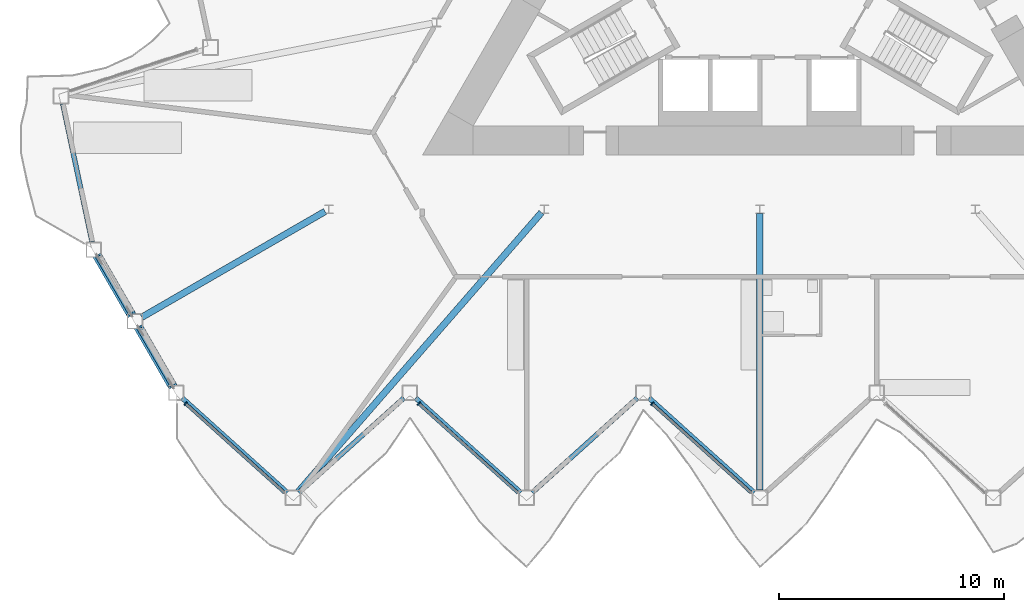
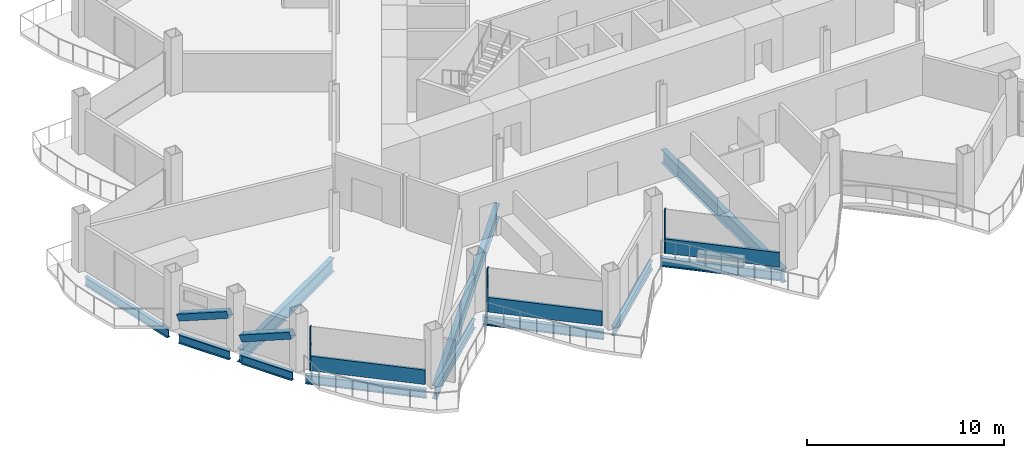
# One storey, part 4 of 24: 11 beams, 8 members, 3 elements without a shape of their own.
"""IFC4 building model written with IfcOpenShell, lengths in metres."""

from ifc_helpers import new_model, si_unit, direction, frame, origin, origin_2d, place, context, subcontext, project, spatial, rectangle, hollow_rectangle, i_section, extrude, material, layer, layer_set, material_profile, profile_set, type_object, element, aggregate, save


model = new_model("IFC4")

# Units and contexts
model_context = context("Model", 3, precision=1e-05, world=origin(), true_north=direction((0.0, 1.0)))
body_context = subcontext(model_context, "Body", "Model", "MODEL_VIEW")
ifc_project = project(units=[si_unit("LENGTHUNIT", "METRE"), si_unit("AREAUNIT", "SQUARE_METRE"), si_unit("VOLUMEUNIT", "CUBIC_METRE"), si_unit("PLANEANGLEUNIT", "RADIAN"), si_unit("MASSUNIT", "GRAM", prefix="KILO")], contexts=[model_context])

# Site, building, storey
site_placement = place(None, origin())
site = spatial("IfcSite", under=ifc_project, at=site_placement, CompositionType="ELEMENT")
building_placement = place(site_placement, origin())
building = spatial("IfcBuilding", under=site, at=building_placement, Name="Cormorant Prow Tower", CompositionType="ELEMENT")
storey_placement = place(building_placement, frame((0.0, 0.0, 274.199951171875)))
storey = spatial("IfcBuildingStorey", under=building, at=storey_placement, Name="L62", CompositionType="ELEMENT", Elevation=274.199951171875)

# Members
ifc_material_1 = material(Name="Structural steel ASTM A500 Gr C", Category="steel")
ifc_material_profile_1 = material_profile(ifc_material_1, hollow_rectangle(XDim=0.406494140625, YDim=0.406494140625, WallThickness=0.01171875, at=origin_2d()), Name="HSS16x16x1/2")
ifc_profile_set_1 = profile_set([ifc_material_profile_1], Name="Structural steel ASTM A500 Gr C")
member_type_1 = type_object("IfcMemberType", Name="Chamfer brace HSS16x16x1/2", PredefinedType="BRACE", material=ifc_profile_set_1)
for number, where, z_axis, x_axis, name in (
    (1, (-29.4287109375, -13.174560546875, 0.74951171875), (0.462773096913, -0.801606962687, 0.378506721399), (0.866041729639, 0.499971721724, 0.0), "Chamfer brace BR2 at WSW00 L62"),
    (2, (-27.593505859375, -16.353271484375, 0.74951171875), (0.462773096913, -0.801606962687, 0.378506721399), (0.866041729639, 0.499971721724, 0.0), "Chamfer brace BR2 at WSW01 L62"),
):
    element("IfcMember", number, at=place(storey_placement, frame(where, z_axis=z_axis, x_axis=x_axis)), inside=storey, type_object=member_type_1, Name=name, PredefinedType="BRACE", context=body_context, shape_type="SweptSolid", body=[
        extrude(hollow_rectangle(XDim=0.406494140625, YDim=0.406494140625, WallThickness=0.01171875, at=origin_2d()), origin(), (0.0, 0.0, 1.0), 3.17529296875),
    ])

# Curtain wall, member
ifc_material_2 = material(Name="Aluminium 6063-T6", Category="aluminium")
ifc_layer = layer(ifc_material_2, 0.179931640625)
ifc_layer_set = layer_set([ifc_layer], Name="Aluminium 6063-T6")
curtain_wall_type = type_object("IfcCurtainWallType", Name="Hotel unitised curtain wall 180", PredefinedType="NOTDEFINED", material=ifc_layer_set)
curtain_wall_1_placement = place(storey_placement, origin())
curtain_wall_1 = element("IfcCurtainWall", 3, at=curtain_wall_1_placement, inside=storey, type_object=curtain_wall_type, Name="Hotel curtain wall S00", PredefinedType="NOTDEFINED")
ifc_material_3 = material(Name="Aluminium 6063-T6", Category="aluminium")
ifc_material_profile_2 = material_profile(ifc_material_3, rectangle(XDim=0.179931640625, YDim=0.06005859375, at=origin_2d()), Name="Hotel mullion 60x180")
ifc_profile_set_2 = profile_set([ifc_material_profile_2], Name="Aluminium 6063-T6")
member_type_2 = type_object("IfcMemberType", Name="Hotel mullion 60x180", PredefinedType="MULLION", material=ifc_profile_set_2)
member_1_placement = place(storey_placement, frame((-25.531494140625, -19.701904296875, 0.0), z_axis=(0.0, 0.0, 1.0), x_axis=(0.669130609926, 0.743144822266, 0.0)))
member_1 = element("IfcMember", 4, at=member_1_placement, type_object=member_type_2, Name="Hotel mullion S00", PredefinedType="MULLION", context=body_context, shape_type="SweptSolid", body=[
    extrude(rectangle(XDim=0.179931640625, YDim=0.06005859375, at=origin_2d()), origin(), (0.0, 0.0, 1.0), 2.700927734375),
])

curtain_wall_2_placement = place(storey_placement, origin())
curtain_wall_2 = element("IfcCurtainWall", 5, at=curtain_wall_2_placement, inside=storey, type_object=curtain_wall_type, Name="Hotel curtain wall S02", PredefinedType="NOTDEFINED")
member_2_placement = place(storey_placement, frame((-15.1611328125, -19.701904296875, 0.0), z_axis=(0.0, 0.0, 1.0), x_axis=(0.669130538654, 0.743144886439, 0.0)))
member_2 = element("IfcMember", 6, at=member_2_placement, type_object=member_type_2, Name="Hotel mullion S02", PredefinedType="MULLION", context=body_context, shape_type="SweptSolid", body=[
    extrude(rectangle(XDim=0.179931640625, YDim=0.06005859375, at=origin_2d()), origin(), (0.0, 0.0, 1.0), 2.700927734375),
])

curtain_wall_3_placement = place(storey_placement, origin())
curtain_wall_3 = element("IfcCurtainWall", 7, at=curtain_wall_3_placement, inside=storey, type_object=curtain_wall_type, Name="Hotel curtain wall S04", PredefinedType="NOTDEFINED")
member_3_placement = place(storey_placement, frame((-4.79052734375, -19.701904296875, 0.0), z_axis=(0.0, 0.0, 1.0), x_axis=(0.669130609926, 0.743144822266, 0.0)))
member_3 = element("IfcMember", 8, at=member_3_placement, type_object=member_type_2, Name="Hotel mullion S04", PredefinedType="MULLION", context=body_context, shape_type="SweptSolid", body=[
    extrude(rectangle(XDim=0.179931640625, YDim=0.06005859375, at=origin_2d()), origin(), (0.0, 0.0, 1.0), 2.700927734375),
])

# Member
ifc_material_4 = material(Name="Terracotta", Category="masonry")
ifc_material_profile_3 = material_profile(ifc_material_4, rectangle(XDim=0.139892578125, YDim=0.89990234375, at=origin_2d()), Name="Hotel terracotta spandrel rail 140x900")
ifc_profile_set_3 = profile_set([ifc_material_profile_3], Name="Terracotta")
member_type_3 = type_object("IfcMemberType", Name="Hotel terracotta spandrel rail 140x900", PredefinedType="USERDEFINED", material=ifc_profile_set_3)
member_4_placement = place(storey_placement, frame((-25.509033203125, -19.721923828125, 0.449951171875), z_axis=(0.743119680004, -0.669158532181, 0.0), x_axis=(0.669158532181, 0.743119680004, 0.0)))
member_4 = element("IfcMember", 9, at=member_4_placement, type_object=member_type_3, Name="Hotel spandrel rail S00", ObjectType="TRANSOM", PredefinedType="USERDEFINED", context=body_context, shape_type="SweptSolid", body=[
    extrude(rectangle(XDim=0.139892578125, YDim=0.89990234375, at=origin_2d()), origin(), (0.0, 0.0, 1.0), 5.915283203125),
])

aggregate(curtain_wall_1, [member_1, member_4])

member_5_placement = place(storey_placement, frame((-15.138671875, -19.721923828125, 0.449951171875), z_axis=(0.743138160078, -0.669138008961, 0.0), x_axis=(0.669138008961, 0.743138160078, 0.0)))
member_5 = element("IfcMember", 10, at=member_5_placement, type_object=member_type_3, Name="Hotel spandrel rail S02", ObjectType="TRANSOM", PredefinedType="USERDEFINED", context=body_context, shape_type="SweptSolid", body=[
    extrude(rectangle(XDim=0.139892578125, YDim=0.89990234375, at=origin_2d()), origin(), (0.0, 0.0, 1.0), 5.91552734375),
])

aggregate(curtain_wall_2, [member_2, member_5])

member_6_placement = place(storey_placement, frame((-4.768310546875, -19.721923828125, 0.449951171875), z_axis=(0.743138160078, -0.669138008961, 0.0), x_axis=(0.669138008961, 0.743138160078, 0.0)))
member_6 = element("IfcMember", 11, at=member_6_placement, type_object=member_type_3, Name="Hotel spandrel rail S04", ObjectType="TRANSOM", PredefinedType="USERDEFINED", context=body_context, shape_type="SweptSolid", body=[
    extrude(rectangle(XDim=0.139892578125, YDim=0.89990234375, at=origin_2d()), origin(), (0.0, 0.0, 1.0), 5.91552734375),
])

aggregate(curtain_wall_3, [member_3, member_6])

# Beams
ifc_material_5 = material(Name="Structural steel ASTM A992 Gr 50", Category="steel")
ifc_material_profile_4 = material_profile(ifc_material_5, i_section(OverallWidth=0.29296875, OverallDepth=0.845703125, WebThickness=0.015380859375, FlangeThickness=0.0244140625, at=origin_2d()), Name="W33x141")
ifc_profile_set_4 = profile_set([ifc_material_profile_4], Name="Structural steel ASTM A992 Gr 50")
beam_type_1 = type_object("IfcBeamType", Name="Radial floor beam W33x141", PredefinedType="BEAM", material=ifc_profile_set_4)
beam_1_placement = place(storey_placement, frame((-19.32958984375, -11.159912109375, -0.77294921875), z_axis=(-0.866021726843, -0.500006368596, 0.0), x_axis=(0.500006368596, -0.866021726843, 0.0)))
element("IfcBeam", 12, at=beam_1_placement, inside=storey, type_object=beam_type_1, Name="Radial floor beam FB2 5 L62", PredefinedType="BEAM", context=body_context, shape_type="SweptSolid", body=[
    extrude(i_section(OverallWidth=0.29296875, OverallDepth=0.845703125, WebThickness=0.015380859375, FlangeThickness=0.0244140625, at=origin_2d()), origin(), (0.0, 0.0, 1.0), 9.40380859375),
])
beam_2_placement = place(storey_placement, frame((-9.70947265625, -11.210693359375, -0.77294921875), z_axis=(-0.656874593387, -0.753999846527, 0.0), x_axis=(0.753999846527, -0.656874593387, 0.0)))
element("IfcBeam", 13, at=beam_2_placement, inside=storey, type_object=beam_type_1, Name="Radial floor beam FB2 6 L62", PredefinedType="BEAM", context=body_context, shape_type="SweptSolid", body=[
    extrude(i_section(OverallWidth=0.29296875, OverallDepth=0.845703125, WebThickness=0.015380859375, FlangeThickness=0.0244140625, at=origin_2d()), origin(), (0.0, 0.0, 1.0), 16.4619140625),
])
beam_3_placement = place(storey_placement, frame((0.0, -11.259765625, -0.77294921875), z_axis=(0.0, -1.0, 0.0), x_axis=(1.0, 0.0, 0.0)))
element("IfcBeam", 14, at=beam_3_placement, inside=storey, type_object=beam_type_1, Name="Radial floor beam FB2 7 L62", PredefinedType="BEAM", context=body_context, shape_type="SweptSolid", body=[
    extrude(i_section(OverallWidth=0.29296875, OverallDepth=0.845703125, WebThickness=0.015380859375, FlangeThickness=0.0244140625, at=origin_2d()), origin(), (0.0, 0.0, 1.0), 12.277099609375),
])
ifc_material_6 = material(Name="Structural steel ASTM A992 Gr 50", Category="steel")
ifc_material_profile_5 = material_profile(ifc_material_6, i_section(OverallWidth=0.2138671875, OverallDepth=0.549072265625, WebThickness=0.0146484375, FlangeThickness=0.023681640625, at=origin_2d()), Name="W21x93")
ifc_profile_set_5 = profile_set([ifc_material_profile_5], Name="Structural steel ASTM A992 Gr 50")
beam_type_2 = type_object("IfcBeamType", Name="Spandrel beam W21x93", PredefinedType="SPANDREL", material=ifc_profile_set_5)
for number, where, z_axis, x_axis, name in (
    (15, (-25.68115234375, -19.44970703125, -0.62451171875), (0.743156918576, -0.669117175368, 0.0), (0.669117175368, 0.743156918576, 0.0), "Spandrel beam SB2 S00-S01 L62"),
    (16, (-20.492919921875, -23.65283203125, -0.62451171875), (0.743156918576, 0.669117175368, 0.0), (-0.669117175368, 0.743156918576, 0.0), "Spandrel beam SB2 S01-S02 L62"),
    (17, (-15.3046875, -19.44970703125, -0.62451171875), (0.743156918576, -0.669117175368, 0.0), (0.669117175368, 0.743156918576, 0.0), "Spandrel beam SB2 S02-S03 L62"),
    (18, (-10.116455078125, -23.65283203125, -0.62451171875), (0.743156918576, 0.669117175368, 0.0), (-0.669117175368, 0.743156918576, 0.0), "Spandrel beam SB2 S03-S04 L62"),
    (19, (-4.92822265625, -19.44970703125, -0.62451171875), (0.743156918576, -0.669117175368, 0.0), (0.669117175368, 0.743156918576, 0.0), "Spandrel beam SB2 S04-S05 L62"),
):
    element("IfcBeam", number, at=place(storey_placement, frame(where, z_axis=z_axis, x_axis=x_axis)), inside=storey, type_object=beam_type_2, Name=name, PredefinedType="SPANDREL", context=body_context, shape_type="SweptSolid", body=[
        extrude(i_section(OverallWidth=0.2138671875, OverallDepth=0.549072265625, WebThickness=0.0146484375, FlangeThickness=0.023681640625, at=origin_2d()), origin(), (0.0, 0.0, 1.0), 6.281494140625),
    ])
beam_4_placement = place(storey_placement, frame((-30.990478515625, -6.37158203125, -0.62451171875), z_axis=(0.207941499013, -0.978141264331, 0.0), x_axis=(0.978141264331, 0.207941499013, 0.0)))
element("IfcBeam", 20, at=beam_4_placement, inside=storey, type_object=beam_type_2, Name="Spandrel beam SB2 WNW09-WSW00 L62", PredefinedType="SPANDREL", context=body_context, shape_type="SweptSolid", body=[
    extrude(i_section(OverallWidth=0.2138671875, OverallDepth=0.549072265625, WebThickness=0.0146484375, FlangeThickness=0.023681640625, at=origin_2d()), origin(), (0.0, 0.0, 1.0), 6.28125),
])
for number, where, z_axis, x_axis, name in (
    (21, (-29.4365234375, -13.1611328125, -0.62451171875), (0.499966725515, -0.866044613965, 0.0), (0.866044613965, 0.499966725515, 0.0), "Spandrel beam SB2 WSW00-WSW01 L62"),
    (22, (-27.601318359375, -16.33984375, -0.62451171875), (0.499966725515, -0.866044613965, 0.0), (0.866044613965, 0.499966725515, 0.0), "Spandrel beam SB2 WSW01-S00 L62"),
):
    element("IfcBeam", number, at=place(storey_placement, frame(where, z_axis=z_axis, x_axis=x_axis)), inside=storey, type_object=beam_type_2, Name=name, PredefinedType="SPANDREL", context=body_context, shape_type="SweptSolid", body=[
        extrude(i_section(OverallWidth=0.2138671875, OverallDepth=0.549072265625, WebThickness=0.0146484375, FlangeThickness=0.023681640625, at=origin_2d()), origin(), (0.0, 0.0, 1.0), 2.970458984375),
    ])

save(model, "model.ifc")
